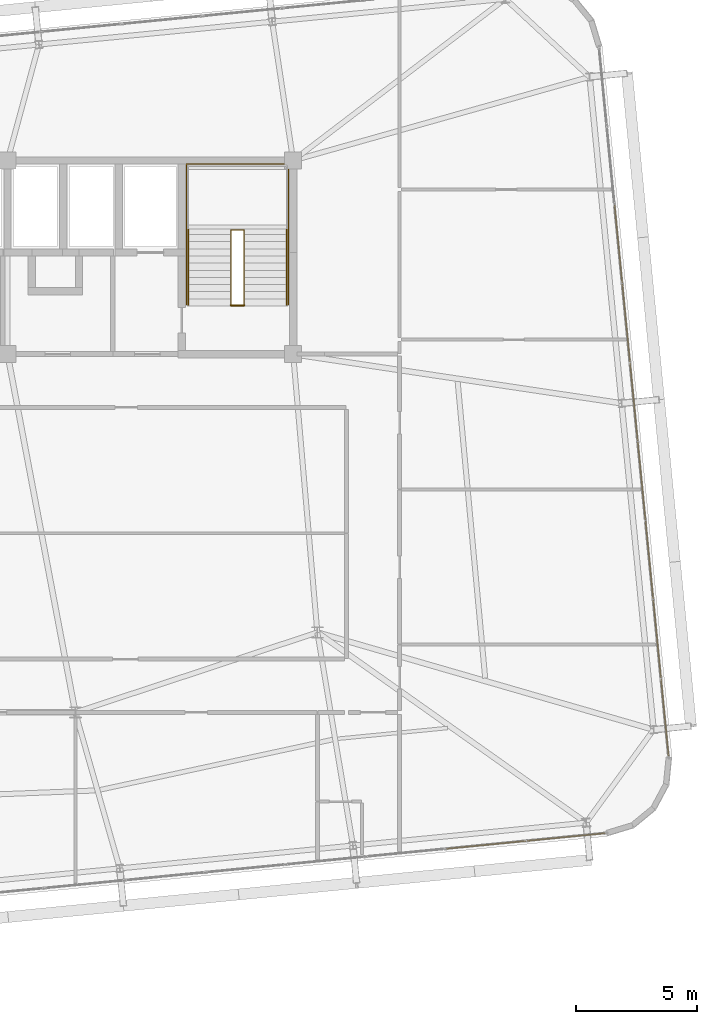
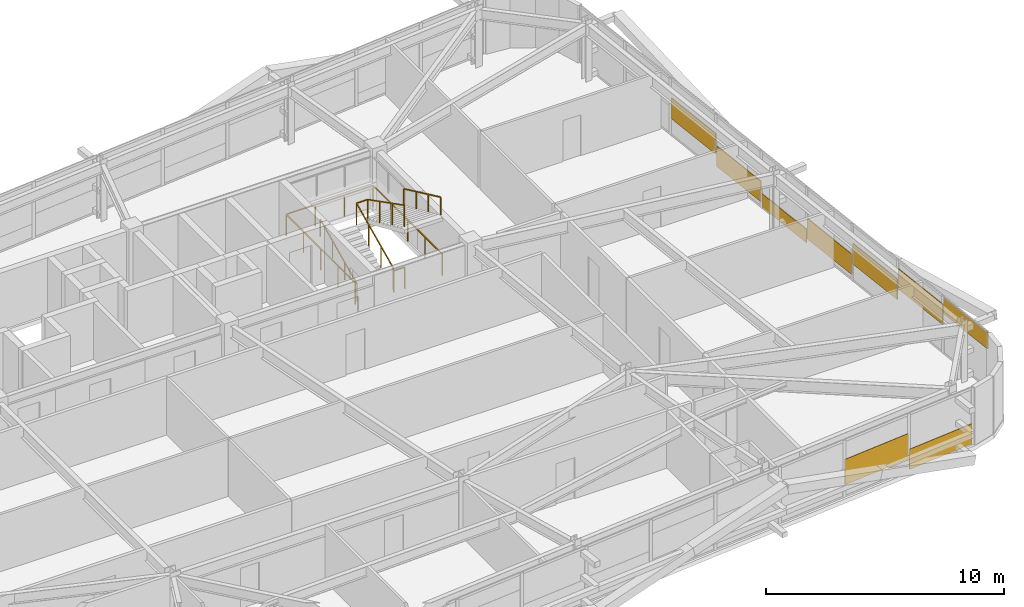
# One storey, part 51 of 52: 9 coverings, 5 railings.
"""IFC4 building model written with IfcOpenShell, lengths in metres."""

from ifc_helpers import new_model, si_unit, direction, frame, origin, origin_2d, place, context, subcontext, project, spatial, rectangle, extrude, source, transform, mapped, material, layer, layer_set, type_object, element, save


model = new_model("IFC4")

# Units and contexts
model_context = context("Model", 3, precision=1e-05, world=origin(), true_north=direction((0.0, 1.0)))
body_context = subcontext(model_context, "Body", "Model", "MODEL_VIEW")
ifc_project = project(units=[si_unit("LENGTHUNIT", "METRE"), si_unit("AREAUNIT", "SQUARE_METRE"), si_unit("VOLUMEUNIT", "CUBIC_METRE"), si_unit("PLANEANGLEUNIT", "RADIAN"), si_unit("MASSUNIT", "GRAM", prefix="KILO")], contexts=[model_context])

# Site, building, storey
site_placement = place(None, origin())
site = spatial("IfcSite", under=ifc_project, at=site_placement, CompositionType="ELEMENT")
building_placement = place(site_placement, origin())
building = spatial("IfcBuilding", under=site, at=building_placement, Name="Taldren Reach Tower", CompositionType="ELEMENT")
storey_placement = place(building_placement, frame((0.0, 0.0, 77.699951171875)))
storey = spatial("IfcBuildingStorey", under=building, at=storey_placement, Name="L23", CompositionType="ELEMENT", Elevation=77.699951171875)

# Railings
ifc_material_1 = material(Name="Steel Gr 350 (C350L0)", Category="steel")
ifc_layer_1 = layer(ifc_material_1, 0.050048828125)
ifc_layer_set_1 = layer_set([ifc_layer_1], Name="Steel Gr 350 (C350L0)")
railing_type_1 = type_object("IfcRailingType", Name="RL-STAIR-GR", PredefinedType="GUARDRAIL", material=ifc_layer_set_1)
railing_1_placement = place(storey_placement, frame((48.429931640625, 26.050048828125, 0.13134765625)))
element("IfcRailing", 1, at=railing_1_placement, inside=storey, type_object=railing_type_1, Name="Stairwell inner guard ST2-L23", PredefinedType="GUARDRAIL", context=body_context, shape_type="SweptSolid", body=[
    extrude(rectangle(XDim=0.047852, YDim=0.047852, at=origin_2d()), frame((0.0, 0.0, 1.09619140625), z_axis=(0.0, 0.905737652094, 0.423838773095), x_axis=(-1.0, 0.0, 0.0)), (0.0, 0.0, 1.0), 3.406005859375),
    extrude(rectangle(XDim=0.047852, YDim=0.047852, at=origin_2d()), frame((0.0, 3.0849609375, 2.53955078125), z_axis=(1.0, 0.0, 0.0), x_axis=(0.0, 1.0, 0.0)), (0.0, 0.0, 1.0), 0.5400390625),
    extrude(rectangle(XDim=0.047852, YDim=0.047852, at=origin_2d()), frame((0.5400390625, 3.0849609375, 2.53955078125), z_axis=(0.0, -0.890617412389, 0.454753366946), x_axis=(1.0, 0.0, 0.0)), (0.0, 0.0, 1.0), 3.4638671875),
    extrude(rectangle(XDim=0.041992, YDim=0.041992, at=origin_2d()), origin(), (0.0, 0.0, 1.0), 1.072021484375),
    extrude(rectangle(XDim=0.041992, YDim=0.041992, at=origin_2d()), frame((0.0, 1.0283203125, 0.481201171875)), (0.0, 0.0, 1.0), 1.072021484375),
    extrude(rectangle(XDim=0.041992, YDim=0.041992, at=origin_2d()), frame((0.0, 2.056640625, 0.96240234375)), (0.0, 0.0, 1.0), 1.072021484375),
    extrude(rectangle(XDim=0.041992, YDim=0.041992, at=origin_2d()), frame((0.0, 3.0849609375, 1.443603515625)), (0.0, 0.0, 1.0), 1.072021484375),
    extrude(rectangle(XDim=0.041992, YDim=0.041992, at=origin_2d()), frame((0.5400390625, 3.0849609375, 1.443603515625)), (0.0, 0.0, 1.0), 1.072021484375),
    extrude(rectangle(XDim=0.041992, YDim=0.041992, at=origin_2d()), frame((0.5400390625, 2.056640625, 1.96875)), (0.0, 0.0, 1.0), 1.072021484375),
    extrude(rectangle(XDim=0.041992, YDim=0.041992, at=origin_2d()), frame((0.5400390625, 1.0283203125, 2.49365234375)), (0.0, 0.0, 1.0), 1.072021484375),
    extrude(rectangle(XDim=0.041992, YDim=0.041992, at=origin_2d()), frame((0.5400390625, 0.0, 3.018798828125)), (0.0, 0.0, 1.0), 1.072021484375),
])
railing_2_placement = place(storey_placement, frame((48.429931640625, 26.010009765625, 0.0)))
element("IfcRailing", 2, at=railing_2_placement, inside=storey, type_object=railing_type_1, Name="Stairwell landing slot guard ST2-L23", PredefinedType="GUARDRAIL", context=body_context, shape_type="SweptSolid", body=[
    extrude(rectangle(XDim=0.047852, YDim=0.047852, at=origin_2d()), frame((0.0, 0.0, 1.09619140625), z_axis=(1.0, 0.0, 0.0), x_axis=(0.0, 1.0, 0.0)), (0.0, 0.0, 1.0), 0.5400390625),
    extrude(rectangle(XDim=0.041992, YDim=0.041992, at=origin_2d()), origin(), (0.0, 0.0, 1.0), 1.072021484375),
    extrude(rectangle(XDim=0.041992, YDim=0.041992, at=origin_2d()), frame((0.5400390625, 0.0, 0.0)), (0.0, 0.0, 1.0), 1.072021484375),
])
railing_3_placement = place(storey_placement, frame((46.590087890625, 26.050048828125, 0.0)))
element("IfcRailing", 3, at=railing_3_placement, inside=storey, type_object=railing_type_1, Name="Stairwell floor opening guard ST2-L23", PredefinedType="GUARDRAIL", context=body_context, shape_type="SweptSolid", body=[
    extrude(rectangle(XDim=0.047852, YDim=0.047852, at=origin_2d()), frame((0.0, 0.0, 1.09619140625), z_axis=(0.0, 1.0, 0.0), x_axis=(-1.0, 0.0, 0.0)), (0.0, 0.0, 1.0), 5.800048828125),
    extrude(rectangle(XDim=0.047852, YDim=0.047852, at=origin_2d()), frame((0.0, 5.800048828125, 1.09619140625), z_axis=(1.0, 0.0, 0.0), x_axis=(0.0, 1.0, 0.0)), (0.0, 0.0, 1.0), 4.219970703125),
    extrude(rectangle(XDim=0.047852, YDim=0.047852, at=origin_2d()), frame((4.219970703125, 5.800048828125, 1.09619140625), z_axis=(0.0, -1.0, 0.0), x_axis=(1.0, 0.0, 0.0)), (0.0, 0.0, 1.0), 5.800048828125),
    extrude(rectangle(XDim=0.041992, YDim=0.041992, at=origin_2d()), origin(), (0.0, 0.0, 1.0), 1.072021484375),
    extrude(rectangle(XDim=0.041992, YDim=0.041992, at=origin_2d()), frame((0.0, 1.449951171875, 0.0)), (0.0, 0.0, 1.0), 1.072021484375),
    extrude(rectangle(XDim=0.041992, YDim=0.041992, at=origin_2d()), frame((0.0, 2.89990234375, 0.0)), (0.0, 0.0, 1.0), 1.072021484375),
    extrude(rectangle(XDim=0.041992, YDim=0.041992, at=origin_2d()), frame((0.0, 4.35009765625, 0.0)), (0.0, 0.0, 1.0), 1.072021484375),
    extrude(rectangle(XDim=0.041992, YDim=0.041992, at=origin_2d()), frame((0.0, 5.800048828125, 0.0)), (0.0, 0.0, 1.0), 1.072021484375),
    extrude(rectangle(XDim=0.041992, YDim=0.041992, at=origin_2d()), frame((1.40673828125, 5.800048828125, 0.0)), (0.0, 0.0, 1.0), 1.072021484375),
    extrude(rectangle(XDim=0.041992, YDim=0.041992, at=origin_2d()), frame((2.813232421875, 5.800048828125, 0.0)), (0.0, 0.0, 1.0), 1.072021484375),
    extrude(rectangle(XDim=0.041992, YDim=0.041992, at=origin_2d()), frame((4.219970703125, 5.800048828125, 0.0)), (0.0, 0.0, 1.0), 1.072021484375),
    extrude(rectangle(XDim=0.041992, YDim=0.041992, at=origin_2d()), frame((4.219970703125, 4.35009765625, 0.0)), (0.0, 0.0, 1.0), 1.072021484375),
    extrude(rectangle(XDim=0.041992, YDim=0.041992, at=origin_2d()), frame((4.219970703125, 2.89990234375, 0.0)), (0.0, 0.0, 1.0), 1.072021484375),
    extrude(rectangle(XDim=0.041992, YDim=0.041992, at=origin_2d()), frame((4.219970703125, 1.449951171875, 0.0)), (0.0, 0.0, 1.0), 1.072021484375),
    extrude(rectangle(XDim=0.041992, YDim=0.041992, at=origin_2d()), frame((4.219970703125, 0.0, 0.0)), (0.0, 0.0, 1.0), 1.072021484375),
])
ifc_material_2 = material(Name="Stainless Steel Gr 316", Category="steel")
ifc_layer_2 = layer(ifc_material_2, 0.048095703125)
ifc_layer_set_2 = layer_set([ifc_layer_2], Name="Stainless Steel Gr 316")
railing_type_2 = type_object("IfcRailingType", Name="RL-STAIR-HR", PredefinedType="HANDRAIL", material=ifc_layer_set_2)
railing_4_placement = place(storey_placement, frame((46.669921875, 26.050048828125, 0.13134765625)))
element("IfcRailing", 4, at=railing_4_placement, inside=storey, type_object=railing_type_2, Name="Stair flight handrail ST2-L23-1", PredefinedType="HANDRAIL", context=body_context, shape_type="SweptSolid", body=[
    extrude(rectangle(XDim=0.047852, YDim=0.047852, at=origin_2d()), frame((0.0, 0.0, 0.89599609375), z_axis=(0.0, 0.905737652094, 0.423838773095), x_axis=(-1.0, 0.0, 0.0)), (0.0, 0.0, 1.0), 3.406005859375),
    extrude(rectangle(XDim=0.041992, YDim=0.041992, at=origin_2d()), origin(), (0.0, 0.0, 1.0), 0.871826171875),
    extrude(rectangle(XDim=0.041992, YDim=0.041992, at=origin_2d()), frame((0.0, 1.0283203125, 0.481201171875)), (0.0, 0.0, 1.0), 0.871826171875),
    extrude(rectangle(XDim=0.041992, YDim=0.041992, at=origin_2d()), frame((0.0, 2.056640625, 0.96240234375)), (0.0, 0.0, 1.0), 0.871826171875),
    extrude(rectangle(XDim=0.041992, YDim=0.041992, at=origin_2d()), frame((0.0, 3.0849609375, 1.443603515625)), (0.0, 0.0, 1.0), 0.871826171875),
])
railing_5_placement = place(storey_placement, frame((50.72998046875, 29.135009765625, 1.706298828125)))
element("IfcRailing", 5, at=railing_5_placement, inside=storey, type_object=railing_type_2, Name="Stair flight handrail ST2-L23-2", PredefinedType="HANDRAIL", context=body_context, shape_type="SweptSolid", body=[
    extrude(rectangle(XDim=0.047852, YDim=0.047852, at=origin_2d()), frame((0.0, 0.0, 0.89599609375), z_axis=(0.0, -0.905710134349, 0.423897573167), x_axis=(1.0, 0.0, 0.0)), (0.0, 0.0, 1.0), 3.406005859375),
    extrude(rectangle(XDim=0.041992, YDim=0.041992, at=origin_2d()), origin(), (0.0, 0.0, 1.0), 0.871826171875),
    extrude(rectangle(XDim=0.041992, YDim=0.041992, at=origin_2d()), frame((0.0, -1.0283203125, 0.481201171875)), (0.0, 0.0, 1.0), 0.871826171875),
    extrude(rectangle(XDim=0.041992, YDim=0.041992, at=origin_2d()), frame((0.0, -2.056640625, 0.962646484375)), (0.0, 0.0, 1.0), 0.871826171875),
    extrude(rectangle(XDim=0.041992, YDim=0.041992, at=origin_2d()), frame((0.0, -3.0849609375, 1.44384765625)), (0.0, 0.0, 1.0), 0.871826171875),
])

# Coverings
ifc_material_3 = material(Name="Pale Champagne Fluoropolymer Aluminium Spandrel Cladding", Category="aluminium")
ifc_layer_3 = layer(ifc_material_3, 0.0439453125)
ifc_layer_set_3 = layer_set([ifc_layer_3], Name="Pale Champagne Fluoropolymer Aluminium Spandrel Cladding")
covering_type = type_object("IfcCoveringType", Name="CV-CLAD-044", PredefinedType="CLADDING", material=ifc_layer_set_3)
shared_shape_1 = source(origin(), body_context, "Body", "SweptSolid", [
    extrude(rectangle(XDim=3.268310546875, YDim=0.0439453125, at=origin_2d()), origin(), (0.0, 0.0, 1.0), 1.3046875),
])
covering_1_placement = place(storey_placement, frame((58.972900390625, 3.7255859375, 0.6220703125), z_axis=(0.0, 0.0, 1.0), x_axis=(0.995227390247, 0.097582999046, 0.0)))
element("IfcCovering", 6, at=covering_1_placement, inside=storey, type_object=covering_type, Name="Diagrid closure cladding strip CW-3 panel 14.1 1", PredefinedType="CLADDING", context=body_context, shape_type="MappedRepresentation", body=[
    mapped(shared_shape_1, transform((0.0, 0.0, 0.0), scale=1.0)),
])
shared_shape_2 = source(origin(), body_context, "Body", "SweptSolid", [
    extrude(rectangle(XDim=3.23583984375, YDim=0.0439453125, at=origin_2d()), origin(), (0.0, 0.0, 1.0), 1.034912109375),
])
covering_2_placement = place(storey_placement, frame((62.274169921875, 4.04931640625, 0.05517578125), z_axis=(0.0, 0.0, 1.0), x_axis=(0.995227390247, 0.097582999046, 0.0)))
element("IfcCovering", 7, at=covering_2_placement, inside=storey, type_object=covering_type, Name="Diagrid closure cladding strip CW-3 panel 15.1 1", PredefinedType="CLADDING", context=body_context, shape_type="MappedRepresentation", body=[
    mapped(shared_shape_2, transform((0.0, 0.0, 0.0), scale=1.0)),
])
shared_shape_3 = source(origin(), body_context, "Body", "SweptSolid", [
    extrude(rectangle(XDim=3.18017578125, YDim=0.0439453125, at=origin_2d()), origin(), (0.0, 0.0, 1.0), 0.83056640625),
])
covering_3_placement = place(storey_placement, frame((66.35498046875, 8.986328125, 2.04443359375), z_axis=(0.0, 0.0, 1.0), x_axis=(-0.09758274098, 0.99522741555, 0.0)))
element("IfcCovering", 8, at=covering_3_placement, inside=storey, type_object=covering_type, Name="Diagrid closure cladding strip CW-3 panel 1.1 1", PredefinedType="CLADDING", context=body_context, shape_type="MappedRepresentation", body=[
    mapped(shared_shape_3, transform((0.0, 0.0, 0.0), scale=1.0)),
])
shared_shape_4 = source(origin(), body_context, "Body", "SweptSolid", [
    extrude(rectangle(XDim=3.212890625, YDim=0.0439453125, at=origin_2d()), origin(), (0.0, 0.0, 1.0), 1.053466796875),
])
for number, where, z_axis, x_axis, name in (
    (9, (66.03662109375, 12.232177734375, 1.45654296875), (0.0, 0.0, 1.0), (-0.09758274098, 0.99522741555, 0.0), "Diagrid closure cladding strip CW-3 panel 2.1 1"),
    (10, (65.716796875, 15.494384765625, 0.869140625), (0.0, 0.0, 1.0), (-0.09758274098, 0.99522741555, 0.0), "Diagrid closure cladding strip CW-3 panel 3.1 1"),
    (11, (65.39697265625, 18.756591796875, 0.28125), (0.0, 0.0, 1.0), (-0.09758274098, 0.99522741555, 0.0), "Diagrid closure cladding strip CW-3 panel 4.1 1"),
    (12, (64.757080078125, 25.28076171875, 0.28125), (0.0, 0.0, 1.0), (-0.09758274098, 0.99522741555, 0.0), "Diagrid closure cladding strip CW-3 panel 6.1 1"),
    (13, (64.437255859375, 28.54296875, 0.869140625), (0.0, 0.0, 1.0), (-0.09758274098, 0.99522741555, 0.0), "Diagrid closure cladding strip CW-3 panel 7.1 1"),
):
    element("IfcCovering", number, at=place(storey_placement, frame(where, z_axis=z_axis, x_axis=x_axis)), inside=storey, type_object=covering_type, Name=name, PredefinedType="CLADDING", context=body_context, shape_type="MappedRepresentation", body=[
        mapped(shared_shape_4, transform((0.0, 0.0, 0.0), scale=1.0)),
    ])
shared_shape_5 = source(origin(), body_context, "Body", "SweptSolid", [
    extrude(rectangle(XDim=3.212890625, YDim=0.0439453125, at=origin_2d()), origin(), (0.0, 0.0, 1.0), 0.691650390625),
])
covering_4_placement = place(storey_placement, frame((65.0771484375, 22.0185546875, 0.05517578125), z_axis=(0.0, 0.0, 1.0), x_axis=(-0.09758274098, 0.99522741555, 0.0)))
element("IfcCovering", 14, at=covering_4_placement, inside=storey, type_object=covering_type, Name="Diagrid closure cladding strip CW-3 panel 5.1 1", PredefinedType="CLADDING", context=body_context, shape_type="MappedRepresentation", body=[
    mapped(shared_shape_5, transform((0.0, 0.0, 0.0), scale=1.0)),
])

save(model, "model.ifc")
